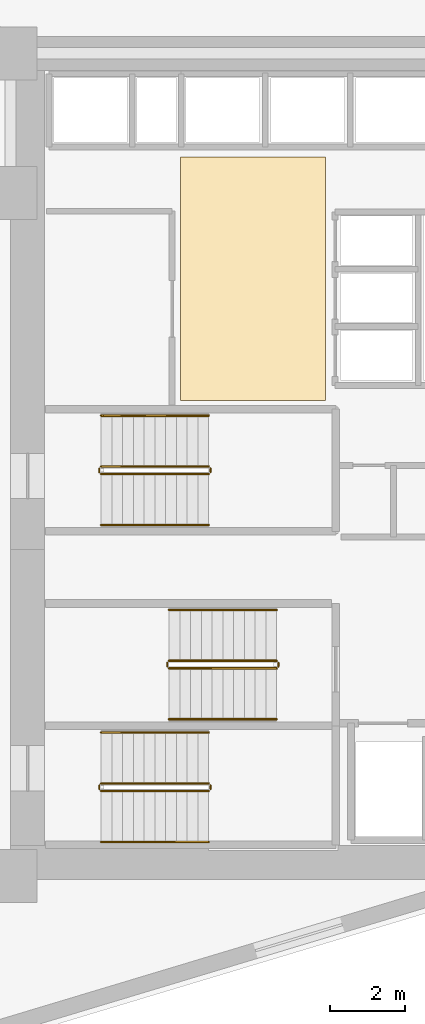
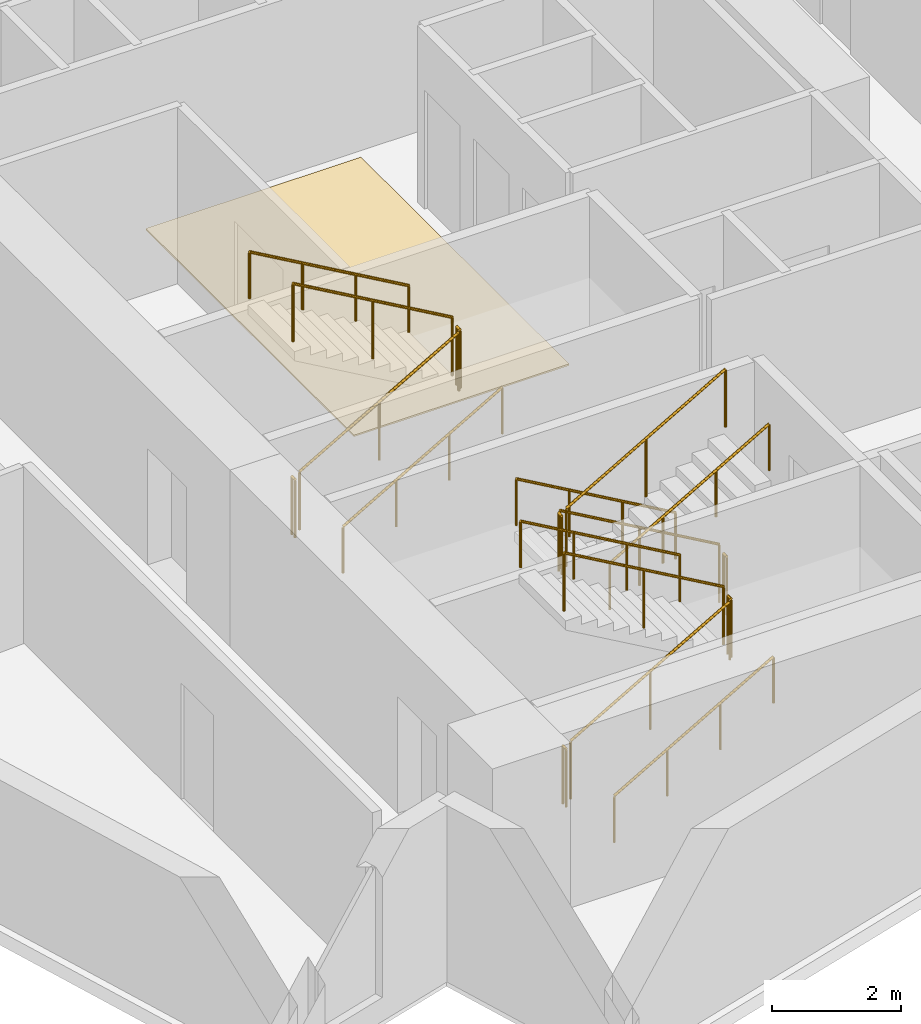
# One storey, part 16 of 17: 18 railings, 1 covering.
"""IFC4 building model written with IfcOpenShell, lengths in metres."""

from ifc_helpers import new_model, si_unit, direction, frame, origin, origin_2d, place, context, subcontext, project, spatial, polyline, circle, outline, extrude, material, layer, layer_set, type_object, element, save


model = new_model("IFC4")

# Units and contexts
model_context = context("Model", 3, precision=1e-05, world=origin(), true_north=direction((0.0, 1.0)))
body_context = subcontext(model_context, "Body", "Model", "MODEL_VIEW")
ifc_project = project(units=[si_unit("LENGTHUNIT", "METRE"), si_unit("AREAUNIT", "SQUARE_METRE"), si_unit("VOLUMEUNIT", "CUBIC_METRE"), si_unit("PLANEANGLEUNIT", "RADIAN"), si_unit("MASSUNIT", "GRAM", prefix="KILO")], contexts=[model_context])

# Site, building, storey
site_placement = place(None, origin())
site = spatial("IfcSite", under=ifc_project, at=site_placement, CompositionType="ELEMENT")
building_placement = place(site_placement, origin())
building = spatial("IfcBuilding", under=site, at=building_placement, Name="Narakoshi Arena Tower", CompositionType="ELEMENT")
storey_placement = place(building_placement, frame((0.0, 0.0, 139.5)))
storey = spatial("IfcBuildingStorey", under=building, at=storey_placement, Name="L37", CompositionType="ELEMENT", Elevation=139.5)

# Covering
ifc_material_1 = material(Name="Honed granite stone paving", Category="masonry")
ifc_layer = layer(ifc_material_1, 0.030029296875)
ifc_layer_set = layer_set([ifc_layer], Name="Honed granite stone paving")
covering_type = type_object("IfcCoveringType", Name="COV-FLR-ST30", PredefinedType="FLOORING", material=ifc_layer_set)
covering_placement = place(storey_placement, origin())
element("IfcCovering", 1, at=covering_placement, inside=storey, type_object=covering_type, Name="L37 Lift Lobby Granite Flooring", PredefinedType="FLOORING", context=body_context, shape_type="SweptSolid", body=[
    extrude(outline(polyline([(76.5, 47.300048828125), (80.35009765625, 47.300048828125), (80.35009765625, 53.75), (76.5, 53.75), (76.5, 47.300048828125)])), origin(), (0.0, 0.0, 1.0), 0.030029296875),
])

# Railings
ifc_material_2 = material(Name="Clear low-iron laminated structural glass", Category="glass")
railing_type_1 = type_object("IfcRailingType", Name="RL-BAL-1100", PredefinedType="BALUSTRADE", material=ifc_material_2)
railing_1_placement = place(storey_placement, frame((74.39990234375, 36.949951171875, 0.16357421875)))
element("IfcRailing", 2, at=railing_1_placement, inside=storey, type_object=railing_type_1, Name="L37 ST1 stair guard 1", PredefinedType="BALUSTRADE", context=body_context, shape_type="SweptSolid", body=[
    extrude(circle(Radius=0.02392578125, at=origin_2d()), frame((0.0, 0.0, 1.09619140625), z_axis=(0.86721270334, 0.0, 0.497937874806), x_axis=(0.0, 1.0, 0.0)), (0.0, 0.0, 1.0), 3.28662109375),
    extrude(circle(Radius=0.02099609375, at=origin_2d()), origin(), (0.0, 0.0, 1.0), 1.072021484375),
    extrude(circle(Radius=0.02099609375, at=origin_2d()), frame((1.425048828125, 0.0, 0.818359375)), (0.0, 0.0, 1.0), 1.072021484375),
    extrude(circle(Radius=0.02099609375, at=origin_2d()), frame((2.85009765625, 0.0, 1.636474609375)), (0.0, 0.0, 1.0), 1.072021484375),
])
railing_2_placement = place(storey_placement, frame((77.300048828125, 37.0, 1.800048828125)))
element("IfcRailing", 3, at=railing_2_placement, inside=storey, type_object=railing_type_1, Name="L37 ST1 stair guard 2", PredefinedType="BALUSTRADE", context=body_context, shape_type="SweptSolid", body=[
    extrude(circle(Radius=0.02392578125, at=origin_2d()), frame((0.0, 0.0, 1.09619140625), z_axis=(0.0, 1.0, 0.0), x_axis=(-1.0, 0.0, 0.0)), (0.0, 0.0, 1.0), 0.10009765625),
    extrude(circle(Radius=0.02099609375, at=origin_2d()), origin(), (0.0, 0.0, 1.0), 1.072021484375),
    extrude(circle(Radius=0.02099609375, at=origin_2d()), frame((0.0, 0.10009765625, 0.0)), (0.0, 0.0, 1.0), 1.072021484375),
])
railing_3_placement = place(storey_placement, frame((77.25, 37.14990234375, 1.963623046875)))
element("IfcRailing", 4, at=railing_3_placement, inside=storey, type_object=railing_type_1, Name="L37 ST1 stair guard 3", PredefinedType="BALUSTRADE", context=body_context, shape_type="SweptSolid", body=[
    extrude(circle(Radius=0.02392578125, at=origin_2d()), frame((0.0, 0.0, 1.09619140625), z_axis=(-0.86721270334, 0.0, 0.497937874806), x_axis=(0.0, -1.0, 0.0)), (0.0, 0.0, 1.0), 3.28662109375),
    extrude(circle(Radius=0.02099609375, at=origin_2d()), origin(), (0.0, 0.0, 1.0), 1.072021484375),
    extrude(circle(Radius=0.02099609375, at=origin_2d()), frame((-1.425048828125, 0.0, 0.818359375)), (0.0, 0.0, 1.0), 1.072021484375),
    extrude(circle(Radius=0.02099609375, at=origin_2d()), frame((-2.85009765625, 0.0, 1.636474609375)), (0.0, 0.0, 1.0), 1.072021484375),
])
railing_4_placement = place(storey_placement, frame((74.35009765625, 37.0, 0.0)))
element("IfcRailing", 5, at=railing_4_placement, inside=storey, type_object=railing_type_1, Name="L37 ST1 stair guard 4", PredefinedType="BALUSTRADE", context=body_context, shape_type="SweptSolid", body=[
    extrude(circle(Radius=0.02392578125, at=origin_2d()), frame((0.0, 0.0, 1.09619140625), z_axis=(0.0, 1.0, 0.0), x_axis=(-1.0, 0.0, 0.0)), (0.0, 0.0, 1.0), 0.10009765625),
    extrude(circle(Radius=0.02099609375, at=origin_2d()), origin(), (0.0, 0.0, 1.0), 1.072021484375),
    extrude(circle(Radius=0.02099609375, at=origin_2d()), frame((0.0, 0.10009765625, 0.0)), (0.0, 0.0, 1.0), 1.072021484375),
])
railing_5_placement = place(storey_placement, frame((79.050048828125, 40.39990234375, 0.16357421875)))
element("IfcRailing", 6, at=railing_5_placement, inside=storey, type_object=railing_type_1, Name="L37 ST2 stair guard 1", PredefinedType="BALUSTRADE", context=body_context, shape_type="SweptSolid", body=[
    extrude(circle(Radius=0.02392578125, at=origin_2d()), frame((0.0, 0.0, 1.09619140625), z_axis=(-0.86721270334, 0.0, 0.497937874806), x_axis=(0.0, -1.0, 0.0)), (0.0, 0.0, 1.0), 3.28662109375),
    extrude(circle(Radius=0.02099609375, at=origin_2d()), origin(), (0.0, 0.0, 1.0), 1.072021484375),
    extrude(circle(Radius=0.02099609375, at=origin_2d()), frame((-1.425048828125, 0.0, 0.818359375)), (0.0, 0.0, 1.0), 1.072021484375),
    extrude(circle(Radius=0.02099609375, at=origin_2d()), frame((-2.85009765625, 0.0, 1.636474609375)), (0.0, 0.0, 1.0), 1.072021484375),
])
railing_6_placement = place(storey_placement, frame((76.14990234375, 40.35009765625, 1.800048828125)))
element("IfcRailing", 7, at=railing_6_placement, inside=storey, type_object=railing_type_1, Name="L37 ST2 stair guard 2", PredefinedType="BALUSTRADE", context=body_context, shape_type="SweptSolid", body=[
    extrude(circle(Radius=0.02392578125, at=origin_2d()), frame((0.0, 0.0, 1.09619140625), z_axis=(0.0, -1.0, 0.0), x_axis=(1.0, 0.0, 0.0)), (0.0, 0.0, 1.0), 0.10009765625),
    extrude(circle(Radius=0.02099609375, at=origin_2d()), origin(), (0.0, 0.0, 1.0), 1.072021484375),
    extrude(circle(Radius=0.02099609375, at=origin_2d()), frame((0.0, -0.10009765625, 0.0)), (0.0, 0.0, 1.0), 1.072021484375),
])
railing_7_placement = place(storey_placement, frame((76.199951171875, 40.199951171875, 1.963623046875)))
element("IfcRailing", 8, at=railing_7_placement, inside=storey, type_object=railing_type_1, Name="L37 ST2 stair guard 3", PredefinedType="BALUSTRADE", context=body_context, shape_type="SweptSolid", body=[
    extrude(circle(Radius=0.02392578125, at=origin_2d()), frame((0.0, 0.0, 1.09619140625), z_axis=(0.86721270334, 0.0, 0.497937874806), x_axis=(0.0, 1.0, 0.0)), (0.0, 0.0, 1.0), 3.28662109375),
    extrude(circle(Radius=0.02099609375, at=origin_2d()), origin(), (0.0, 0.0, 1.0), 1.072021484375),
    extrude(circle(Radius=0.02099609375, at=origin_2d()), frame((1.425048828125, 0.0, 0.818359375)), (0.0, 0.0, 1.0), 1.072021484375),
    extrude(circle(Radius=0.02099609375, at=origin_2d()), frame((2.85009765625, 0.0, 1.636474609375)), (0.0, 0.0, 1.0), 1.072021484375),
])
railing_8_placement = place(storey_placement, frame((79.10009765625, 40.35009765625, 0.0)))
element("IfcRailing", 9, at=railing_8_placement, inside=storey, type_object=railing_type_1, Name="L37 ST2 stair guard 4", PredefinedType="BALUSTRADE", context=body_context, shape_type="SweptSolid", body=[
    extrude(circle(Radius=0.02392578125, at=origin_2d()), frame((0.0, 0.0, 1.09619140625), z_axis=(0.0, -1.0, 0.0), x_axis=(1.0, 0.0, 0.0)), (0.0, 0.0, 1.0), 0.10009765625),
    extrude(circle(Radius=0.02099609375, at=origin_2d()), origin(), (0.0, 0.0, 1.0), 1.072021484375),
    extrude(circle(Radius=0.02099609375, at=origin_2d()), frame((0.0, -0.10009765625, 0.0)), (0.0, 0.0, 1.0), 1.072021484375),
])
railing_9_placement = place(storey_placement, frame((74.39990234375, 45.35009765625, 0.16357421875)))
element("IfcRailing", 10, at=railing_9_placement, inside=storey, type_object=railing_type_1, Name="L37 ST3 stair guard 1", PredefinedType="BALUSTRADE", context=body_context, shape_type="SweptSolid", body=[
    extrude(circle(Radius=0.02392578125, at=origin_2d()), frame((0.0, 0.0, 1.09619140625), z_axis=(0.86721270334, 0.0, 0.497937874806), x_axis=(0.0, 1.0, 0.0)), (0.0, 0.0, 1.0), 3.28662109375),
    extrude(circle(Radius=0.02099609375, at=origin_2d()), origin(), (0.0, 0.0, 1.0), 1.072021484375),
    extrude(circle(Radius=0.02099609375, at=origin_2d()), frame((1.425048828125, 0.0, 0.818359375)), (0.0, 0.0, 1.0), 1.072021484375),
    extrude(circle(Radius=0.02099609375, at=origin_2d()), frame((2.85009765625, 0.0, 1.636474609375)), (0.0, 0.0, 1.0), 1.072021484375),
])
railing_10_placement = place(storey_placement, frame((77.300048828125, 45.39990234375, 1.800048828125)))
element("IfcRailing", 11, at=railing_10_placement, inside=storey, type_object=railing_type_1, Name="L37 ST3 stair guard 2", PredefinedType="BALUSTRADE", context=body_context, shape_type="SweptSolid", body=[
    extrude(circle(Radius=0.02392578125, at=origin_2d()), frame((0.0, 0.0, 1.09619140625), z_axis=(0.0, 1.0, 0.0), x_axis=(-1.0, 0.0, 0.0)), (0.0, 0.0, 1.0), 0.10009765625),
    extrude(circle(Radius=0.02099609375, at=origin_2d()), origin(), (0.0, 0.0, 1.0), 1.072021484375),
    extrude(circle(Radius=0.02099609375, at=origin_2d()), frame((0.0, 0.10009765625, 0.0)), (0.0, 0.0, 1.0), 1.072021484375),
])
railing_11_placement = place(storey_placement, frame((77.25, 45.550048828125, 1.963623046875)))
element("IfcRailing", 12, at=railing_11_placement, inside=storey, type_object=railing_type_1, Name="L37 ST3 stair guard 3", PredefinedType="BALUSTRADE", context=body_context, shape_type="SweptSolid", body=[
    extrude(circle(Radius=0.02392578125, at=origin_2d()), frame((0.0, 0.0, 1.09619140625), z_axis=(-0.86721270334, 0.0, 0.497937874806), x_axis=(0.0, -1.0, 0.0)), (0.0, 0.0, 1.0), 3.28662109375),
    extrude(circle(Radius=0.02099609375, at=origin_2d()), origin(), (0.0, 0.0, 1.0), 1.072021484375),
    extrude(circle(Radius=0.02099609375, at=origin_2d()), frame((-1.425048828125, 0.0, 0.818359375)), (0.0, 0.0, 1.0), 1.072021484375),
    extrude(circle(Radius=0.02099609375, at=origin_2d()), frame((-2.85009765625, 0.0, 1.636474609375)), (0.0, 0.0, 1.0), 1.072021484375),
])
railing_12_placement = place(storey_placement, frame((74.35009765625, 45.39990234375, 0.0)))
element("IfcRailing", 13, at=railing_12_placement, inside=storey, type_object=railing_type_1, Name="L37 ST3 stair guard 4", PredefinedType="BALUSTRADE", context=body_context, shape_type="SweptSolid", body=[
    extrude(circle(Radius=0.02392578125, at=origin_2d()), frame((0.0, 0.0, 1.09619140625), z_axis=(0.0, 1.0, 0.0), x_axis=(-1.0, 0.0, 0.0)), (0.0, 0.0, 1.0), 0.10009765625),
    extrude(circle(Radius=0.02099609375, at=origin_2d()), origin(), (0.0, 0.0, 1.0), 1.072021484375),
    extrude(circle(Radius=0.02099609375, at=origin_2d()), frame((0.0, 0.10009765625, 0.0)), (0.0, 0.0, 1.0), 1.072021484375),
])
ifc_material_3 = material(Name="Brushed bronze stainless steel", Category="steel")
railing_type_2 = type_object("IfcRailingType", Name="RL-HND-900", PredefinedType="HANDRAIL", material=ifc_material_3)
railing_13_placement = place(storey_placement, frame((74.39990234375, 35.60009765625, 0.16357421875)))
element("IfcRailing", 14, at=railing_13_placement, inside=storey, type_object=railing_type_2, Name="L37 ST1 stair handrail 1", PredefinedType="HANDRAIL", context=body_context, shape_type="SweptSolid", body=[
    extrude(circle(Radius=0.02392578125, at=origin_2d()), frame((0.0, 0.0, 0.8759765625), z_axis=(0.86721270334, 0.0, 0.497937874806), x_axis=(0.0, 1.0, 0.0)), (0.0, 0.0, 1.0), 3.28662109375),
    extrude(circle(Radius=0.02099609375, at=origin_2d()), origin(), (0.0, 0.0, 1.0), 0.851806640625),
    extrude(circle(Radius=0.02099609375, at=origin_2d()), frame((0.949951171875, 0.0, 0.54541015625)), (0.0, 0.0, 1.0), 0.851806640625),
    extrude(circle(Radius=0.02099609375, at=origin_2d()), frame((1.900146484375, 0.0, 1.091064453125)), (0.0, 0.0, 1.0), 0.851806640625),
    extrude(circle(Radius=0.02099609375, at=origin_2d()), frame((2.85009765625, 0.0, 1.636474609375)), (0.0, 0.0, 1.0), 0.851806640625),
])
for number, where, name in (
    (15, (77.25, 38.5, 1.963623046875), "L37 ST1 stair handrail 2"),
    (16, (79.050048828125, 41.75, 0.16357421875), "L37 ST2 stair handrail 1"),
):
    element("IfcRailing", number, at=place(storey_placement, frame(where)), inside=storey, type_object=railing_type_2, Name=name, PredefinedType="HANDRAIL", context=body_context, shape_type="SweptSolid", body=[
        extrude(circle(Radius=0.02392578125, at=origin_2d()), frame((0.0, 0.0, 0.8759765625), z_axis=(-0.86721270334, 0.0, 0.497937874806), x_axis=(0.0, -1.0, 0.0)), (0.0, 0.0, 1.0), 3.28662109375),
        extrude(circle(Radius=0.02099609375, at=origin_2d()), origin(), (0.0, 0.0, 1.0), 0.851806640625),
        extrude(circle(Radius=0.02099609375, at=origin_2d()), frame((-0.949951171875, 0.0, 0.54541015625)), (0.0, 0.0, 1.0), 0.851806640625),
        extrude(circle(Radius=0.02099609375, at=origin_2d()), frame((-1.900146484375, 0.0, 1.091064453125)), (0.0, 0.0, 1.0), 0.851806640625),
        extrude(circle(Radius=0.02099609375, at=origin_2d()), frame((-2.85009765625, 0.0, 1.636474609375)), (0.0, 0.0, 1.0), 0.851806640625),
    ])
for number, where, name in (
    (17, (76.199951171875, 38.85009765625, 1.963623046875), "L37 ST2 stair handrail 2"),
    (18, (74.39990234375, 44.0, 0.16357421875), "L37 ST3 stair handrail 1"),
):
    element("IfcRailing", number, at=place(storey_placement, frame(where)), inside=storey, type_object=railing_type_2, Name=name, PredefinedType="HANDRAIL", context=body_context, shape_type="SweptSolid", body=[
        extrude(circle(Radius=0.02392578125, at=origin_2d()), frame((0.0, 0.0, 0.8759765625), z_axis=(0.86721270334, 0.0, 0.497937874806), x_axis=(0.0, 1.0, 0.0)), (0.0, 0.0, 1.0), 3.28662109375),
        extrude(circle(Radius=0.02099609375, at=origin_2d()), origin(), (0.0, 0.0, 1.0), 0.851806640625),
        extrude(circle(Radius=0.02099609375, at=origin_2d()), frame((0.949951171875, 0.0, 0.54541015625)), (0.0, 0.0, 1.0), 0.851806640625),
        extrude(circle(Radius=0.02099609375, at=origin_2d()), frame((1.900146484375, 0.0, 1.091064453125)), (0.0, 0.0, 1.0), 0.851806640625),
        extrude(circle(Radius=0.02099609375, at=origin_2d()), frame((2.85009765625, 0.0, 1.636474609375)), (0.0, 0.0, 1.0), 0.851806640625),
    ])
railing_14_placement = place(storey_placement, frame((77.25, 46.89990234375, 1.963623046875)))
element("IfcRailing", 19, at=railing_14_placement, inside=storey, type_object=railing_type_2, Name="L37 ST3 stair handrail 2", PredefinedType="HANDRAIL", context=body_context, shape_type="SweptSolid", body=[
    extrude(circle(Radius=0.02392578125, at=origin_2d()), frame((0.0, 0.0, 0.8759765625), z_axis=(-0.86721270334, 0.0, 0.497937874806), x_axis=(0.0, -1.0, 0.0)), (0.0, 0.0, 1.0), 3.28662109375),
    extrude(circle(Radius=0.02099609375, at=origin_2d()), origin(), (0.0, 0.0, 1.0), 0.851806640625),
    extrude(circle(Radius=0.02099609375, at=origin_2d()), frame((-0.949951171875, 0.0, 0.54541015625)), (0.0, 0.0, 1.0), 0.851806640625),
    extrude(circle(Radius=0.02099609375, at=origin_2d()), frame((-1.900146484375, 0.0, 1.091064453125)), (0.0, 0.0, 1.0), 0.851806640625),
    extrude(circle(Radius=0.02099609375, at=origin_2d()), frame((-2.85009765625, 0.0, 1.636474609375)), (0.0, 0.0, 1.0), 0.851806640625),
])

save(model, "model.ifc")
